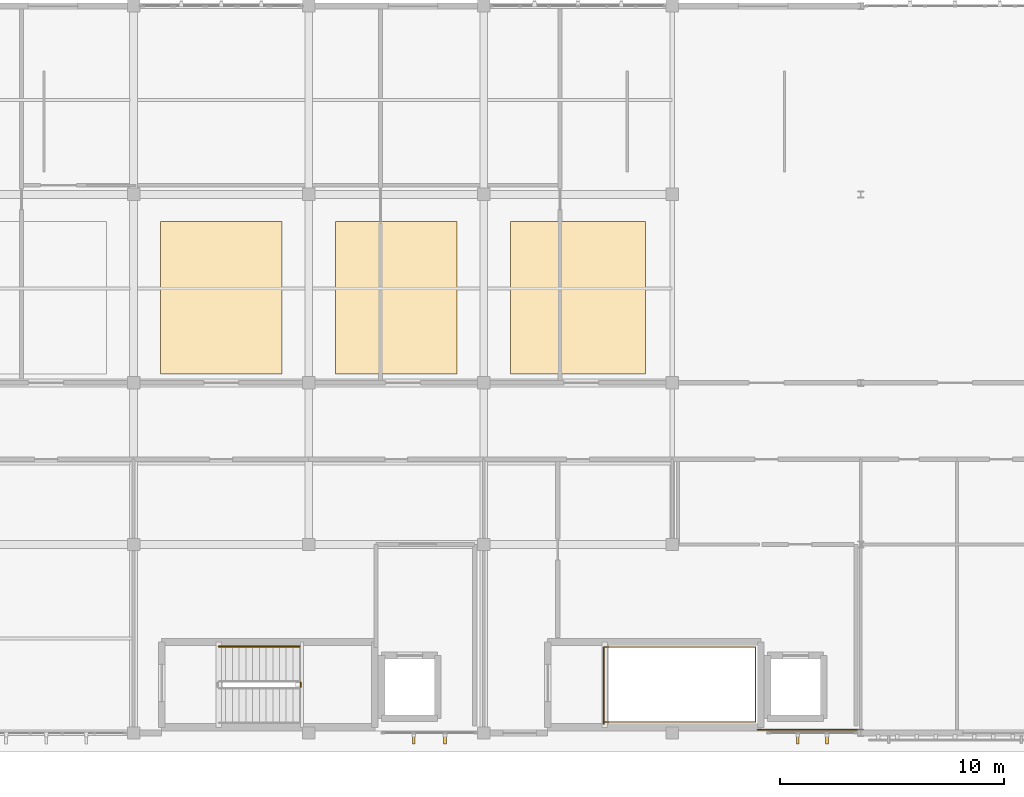
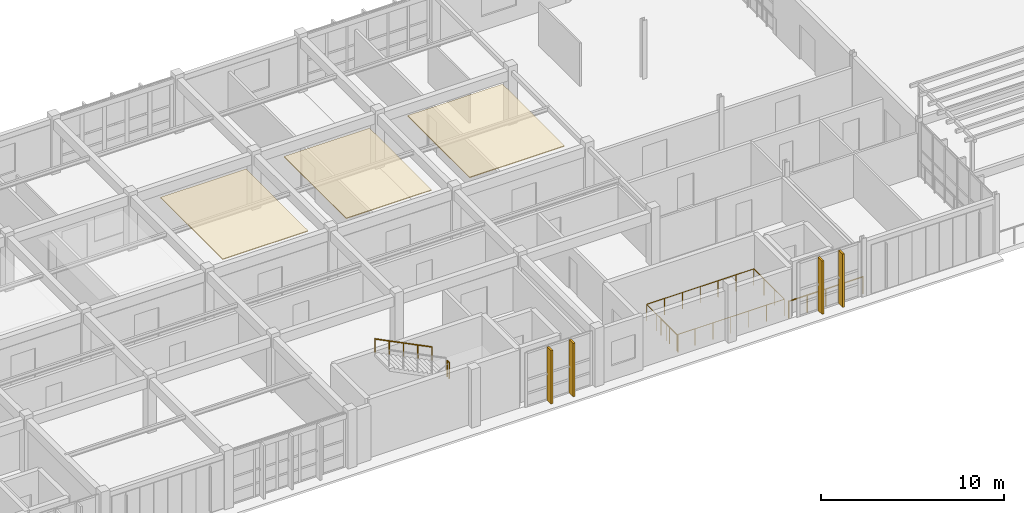
# One storey, part 33 of 35: 7 coverings, 5 railings.
"""IFC4 building model written with IfcOpenShell, lengths in metres."""

from ifc_helpers import new_model, si_unit, direction, frame, origin, origin_2d, place, context, subcontext, project, spatial, polyline, rectangle, circle, outline, extrude, material, layer, layer_set, type_object, element, save


model = new_model("IFC4")

# Units and contexts
model_context = context("Model", 3, precision=1e-05, world=origin(), true_north=direction((0.0, 1.0)))
body_context = subcontext(model_context, "Body", "Model", "MODEL_VIEW")
ifc_project = project(units=[si_unit("LENGTHUNIT", "METRE"), si_unit("AREAUNIT", "SQUARE_METRE"), si_unit("VOLUMEUNIT", "CUBIC_METRE"), si_unit("PLANEANGLEUNIT", "RADIAN"), si_unit("MASSUNIT", "GRAM", prefix="KILO")], contexts=[model_context])

# Site, building, storey
site_placement = place(None, origin())
site = spatial("IfcSite", under=ifc_project, at=site_placement, CompositionType="ELEMENT")
building_placement = place(site_placement, origin())
building = spatial("IfcBuilding", under=site, at=building_placement, Name="Tizgana Railside Sports Hall", CompositionType="ELEMENT")
storey_placement = place(building_placement, frame((0.0, 0.0, 15.89990234375)))
storey = spatial("IfcBuildingStorey", under=building, at=storey_placement, Name="L03", CompositionType="ELEMENT", Elevation=15.89990234375)

# Coverings
ifc_material_1 = material(Name="Glulam GL28h", Category="wood")
ifc_layer_1 = layer(ifc_material_1, 0.139892578125, Name="Glulam GL28h")
ifc_layer_set_1 = layer_set([ifc_layer_1], Name="Glulam GL28h")
covering_type_1 = type_object("IfcCoveringType", Name="Mass-Timber Brise-Soleil & Pergola Fin", PredefinedType="CLADDING", material=ifc_layer_set_1)
for number, where, z_axis, x_axis, name in (
    (1, (52.873291015625, -0.280029296875, 0.0400390625), (0.0, 0.0, 1.0), (-1.0, 0.0, 0.0), "L03 Timber Brise-Soleil Fin"),
    (2, (51.476806640625, -0.280029296875, 0.0400390625), (0.0, 0.0, 1.0), (-1.0, 0.0, 0.0), "L03 Timber Brise-Soleil Fin"),
    (3, (69.896728515625, -0.280029296875, 0.0400390625), (0.0, 0.0, 1.0), (-1.0, 0.0, 0.0), "L03 Timber Brise-Soleil Fin"),
    (4, (68.58837890625, -0.280029296875, 0.0400390625), (0.0, 0.0, 1.0), (-1.0, 0.0, 0.0), "L03 Timber Brise-Soleil Fin"),
):
    element("IfcCovering", number, at=place(storey_placement, frame(where, z_axis=z_axis, x_axis=x_axis)), inside=storey, type_object=covering_type_1, Name=name, PredefinedType="CLADDING", context=body_context, shape_type="SweptSolid", body=[
        extrude(rectangle(XDim=0.1201171875, YDim=0.43994140625, at=origin_2d()), origin(), (0.0, 0.0, 1.0), 3.56005859375),
    ])

# Railings
ifc_material_2 = material(Name="Galvanised steel sheet", Category="steel")
railing_type_1 = type_object("IfcRailingType", Name="Safety Balustrade Guard 1100", PredefinedType="BALUSTRADE", material=ifc_material_2)
railing_1_placement = place(storey_placement, frame((46.449951171875, 2.050048828125, 1.9501953125)))
element("IfcRailing", 5, at=railing_1_placement, inside=storey, type_object=railing_type_1, Name="L03 ST-02 stair guard 2", PredefinedType="BALUSTRADE", context=body_context, shape_type="SweptSolid", body=[
    extrude(circle(Radius=0.02392578125, at=origin_2d()), frame((0.0, 0.0, 1.076171875), z_axis=(0.0, 1.0, 0.0), x_axis=(-1.0, 0.0, 0.0)), (0.0, 0.0, 1.0), 0.199951171875),
    extrude(circle(Radius=0.02099609375, at=origin_2d()), origin(), (0.0, 0.0, 1.0), 1.052001953125),
    extrude(circle(Radius=0.02099609375, at=origin_2d()), frame((0.0, 0.199951171875, 0.0)), (0.0, 0.0, 1.0), 1.052001953125),
])
railing_2_placement = place(storey_placement, frame((59.949951171875, 0.39990234375, 0.0)))
element("IfcRailing", 6, at=railing_2_placement, inside=storey, type_object=railing_type_1, Name="L03 ST-03 top well guard 1", PredefinedType="BALUSTRADE", context=body_context, shape_type="SweptSolid", body=[
    extrude(circle(Radius=0.02392578125, at=origin_2d()), frame((0.0, 0.0, 1.076171875), z_axis=(0.0, 1.0, 0.0), x_axis=(-1.0, 0.0, 0.0)), (0.0, 0.0, 1.0), 1.85009765625),
    extrude(circle(Radius=0.02099609375, at=origin_2d()), origin(), (0.0, 0.0, 1.0), 1.052001953125),
    extrude(circle(Radius=0.02099609375, at=origin_2d()), frame((0.0, 0.925048828125, 0.0)), (0.0, 0.0, 1.0), 1.052001953125),
    extrude(circle(Radius=0.02099609375, at=origin_2d()), frame((0.0, 1.85009765625, 0.0)), (0.0, 0.0, 1.0), 1.052001953125),
])
railing_3_placement = place(storey_placement, frame((59.949951171875, 0.47998046875, 0.0)))
element("IfcRailing", 7, at=railing_3_placement, inside=storey, type_object=railing_type_1, Name="L03 ST-03 Well Guard", PredefinedType="BALUSTRADE", context=body_context, shape_type="SweptSolid", body=[
    extrude(circle(Radius=0.02392578125, at=origin_2d()), frame((0.0, 0.0, 1.09619140625), z_axis=(1.0, 0.0, 0.0), x_axis=(0.0, 1.0, 0.0)), (0.0, 0.0, 1.0), 6.77001953125),
    extrude(circle(Radius=0.02392578125, at=origin_2d()), frame((6.77001953125, 0.0, 1.09619140625), z_axis=(0.0, 1.0, 0.0), x_axis=(-1.0, 0.0, 0.0)), (0.0, 0.0, 1.0), 3.340087890625),
    extrude(circle(Radius=0.02392578125, at=origin_2d()), frame((6.77001953125, 3.340087890625, 1.09619140625), z_axis=(-1.0, 0.0, 0.0), x_axis=(0.0, -1.0, 0.0)), (0.0, 0.0, 1.0), 6.77001953125),
    extrude(circle(Radius=0.02392578125, at=origin_2d()), frame((0.0, 3.340087890625, 1.09619140625), z_axis=(0.0, -1.0, 0.0), x_axis=(1.0, 0.0, 0.0)), (0.0, 0.0, 1.0), 3.280029296875),
    extrude(circle(Radius=0.02099609375, at=origin_2d()), origin(), (0.0, 0.0, 1.0), 1.072021484375),
    extrude(circle(Radius=0.02099609375, at=origin_2d()), frame((1.12841796875, 0.0, 0.0)), (0.0, 0.0, 1.0), 1.072021484375),
    extrude(circle(Radius=0.02099609375, at=origin_2d()), frame((2.256591796875, 0.0, 0.0)), (0.0, 0.0, 1.0), 1.072021484375),
    extrude(circle(Radius=0.02099609375, at=origin_2d()), frame((3.385009765625, 0.0, 0.0)), (0.0, 0.0, 1.0), 1.072021484375),
    extrude(circle(Radius=0.02099609375, at=origin_2d()), frame((4.513427734375, 0.0, 0.0)), (0.0, 0.0, 1.0), 1.072021484375),
    extrude(circle(Radius=0.02099609375, at=origin_2d()), frame((5.6416015625, 0.0, 0.0)), (0.0, 0.0, 1.0), 1.072021484375),
    extrude(circle(Radius=0.02099609375, at=origin_2d()), frame((6.77001953125, 0.0, 0.0)), (0.0, 0.0, 1.0), 1.072021484375),
    extrude(circle(Radius=0.02099609375, at=origin_2d()), frame((6.77001953125, 1.11328125, 0.0)), (0.0, 0.0, 1.0), 1.072021484375),
    extrude(circle(Radius=0.02099609375, at=origin_2d()), frame((6.77001953125, 2.226806640625, 0.0)), (0.0, 0.0, 1.0), 1.072021484375),
    extrude(circle(Radius=0.02099609375, at=origin_2d()), frame((6.77001953125, 3.340087890625, 0.0)), (0.0, 0.0, 1.0), 1.072021484375),
    extrude(circle(Radius=0.02099609375, at=origin_2d()), frame((5.6416015625, 3.340087890625, 0.0)), (0.0, 0.0, 1.0), 1.072021484375),
    extrude(circle(Radius=0.02099609375, at=origin_2d()), frame((4.513427734375, 3.340087890625, 0.0)), (0.0, 0.0, 1.0), 1.072021484375),
    extrude(circle(Radius=0.02099609375, at=origin_2d()), frame((3.385009765625, 3.340087890625, 0.0)), (0.0, 0.0, 1.0), 1.072021484375),
    extrude(circle(Radius=0.02099609375, at=origin_2d()), frame((2.256591796875, 3.340087890625, 0.0)), (0.0, 0.0, 1.0), 1.072021484375),
    extrude(circle(Radius=0.02099609375, at=origin_2d()), frame((1.12841796875, 3.340087890625, 0.0)), (0.0, 0.0, 1.0), 1.072021484375),
    extrude(circle(Radius=0.02099609375, at=origin_2d()), frame((0.0, 3.340087890625, 0.0)), (0.0, 0.0, 1.0), 1.072021484375),
    extrude(circle(Radius=0.02099609375, at=origin_2d()), frame((0.0, 2.246826171875, 0.0)), (0.0, 0.0, 1.0), 1.072021484375),
    extrude(circle(Radius=0.02099609375, at=origin_2d()), frame((0.0, 1.1533203125, 0.0)), (0.0, 0.0, 1.0), 1.072021484375),
    extrude(circle(Radius=0.02099609375, at=origin_2d()), frame((0.0, 0.06005859375, 0.0)), (0.0, 0.0, 1.0), 1.072021484375),
])

# Coverings
ifc_material_3 = material(Name="Acoustic perforated timber", Category="wood")
ifc_layer_2 = layer(ifc_material_3, 0.054931640625, Name="Acoustic perforated timber")
ifc_layer_set_2 = layer_set([ifc_layer_2], Name="Acoustic perforated timber")
covering_type_2 = type_object("IfcCoveringType", Name="Slatted Timber Acoustic Hall Ceiling", PredefinedType="CEILING", material=ifc_layer_set_2)
covering_1_placement = place(storey_placement, frame((0.0, 0.0, 3.60009765625)))
element("IfcCovering", 8, at=covering_1_placement, inside=storey, type_object=covering_type_2, Name="L03 Acoustic Ceiling CLG-0025", PredefinedType="CEILING", context=body_context, shape_type="SweptSolid", body=[
    extrude(outline(polyline([(40.199951171875, 16.0), (45.60009765625, 16.0), (45.60009765625, 22.800048828125), (40.199951171875, 22.800048828125), (40.199951171875, 16.0)])), origin(), (0.0, 0.0, 1.0), 0.054931640625),
])
covering_2_placement = place(storey_placement, frame((0.0, 0.0, 3.60009765625)))
element("IfcCovering", 9, at=covering_2_placement, inside=storey, type_object=covering_type_2, Name="L03 Acoustic Ceiling CLG-0026", PredefinedType="CEILING", context=body_context, shape_type="SweptSolid", body=[
    extrude(outline(polyline([(48.0, 16.0), (53.39990234375, 16.0), (53.39990234375, 22.800048828125), (48.0, 22.800048828125), (48.0, 16.0)])), origin(), (0.0, 0.0, 1.0), 0.054931640625),
])
covering_3_placement = place(storey_placement, frame((0.0, 0.0, 3.60009765625)))
element("IfcCovering", 10, at=covering_3_placement, inside=storey, type_object=covering_type_2, Name="L03 Acoustic Ceiling CLG-0027", PredefinedType="CEILING", context=body_context, shape_type="SweptSolid", body=[
    extrude(outline(polyline([(55.800048828125, 16.0), (61.800048828125, 16.0), (61.800048828125, 22.800048828125), (55.800048828125, 22.800048828125), (55.800048828125, 16.0)])), origin(), (0.0, 0.0, 1.0), 0.054931640625),
])

# Railings
ifc_material_4 = material(Name="Brushed stainless steel", Category="steel")
railing_type_2 = type_object("IfcRailingType", Name="Stair & Ramp Wall Handrail 900", PredefinedType="HANDRAIL", material=ifc_material_4)
railing_4_placement = place(storey_placement, frame((46.39990234375, 3.85009765625, 2.10009765625)))
element("IfcRailing", 11, at=railing_4_placement, inside=storey, type_object=railing_type_2, Name="L03 ST-02 stair handrail 2", PredefinedType="HANDRAIL", context=body_context, shape_type="SweptSolid", body=[
    extrude(circle(Radius=0.02392578125, at=origin_2d()), frame((0.0, 0.0, 0.8759765625), z_axis=(-0.894415058897, 0.0, 0.447237858884), x_axis=(0.0, -1.0, 0.0)), (0.0, 0.0, 1.0), 4.02490234375),
    extrude(circle(Radius=0.02099609375, at=origin_2d()), origin(), (0.0, 0.0, 1.0), 0.851806640625),
    extrude(circle(Radius=0.02099609375, at=origin_2d()), frame((-0.89990234375, 0.0, 0.449951171875)), (0.0, 0.0, 1.0), 0.851806640625),
    extrude(circle(Radius=0.02099609375, at=origin_2d()), frame((-1.7998046875, 0.0, 0.89990234375)), (0.0, 0.0, 1.0), 0.851806640625),
    extrude(circle(Radius=0.02099609375, at=origin_2d()), frame((-2.699951171875, 0.0, 1.35009765625)), (0.0, 0.0, 1.0), 0.851806640625),
    extrude(circle(Radius=0.02099609375, at=origin_2d()), frame((-3.599853515625, 0.0, 1.800048828125)), (0.0, 0.0, 1.0), 0.851806640625),
])
ifc_material_5 = material(Name="Anodised aluminium", Category="aluminium")
railing_type_3 = type_object("IfcRailingType", Name="Terrace & Track Guard 1150", PredefinedType="BALUSTRADE", material=ifc_material_5)
railing_5_placement = place(storey_placement, frame((66.800048828125, 0.14990234375, 0.0)))
element("IfcRailing", 12, at=railing_5_placement, inside=storey, type_object=railing_type_3, Name="L03 Safety Guard GRD-0031", PredefinedType="BALUSTRADE", context=body_context, shape_type="SweptSolid", body=[
    extrude(circle(Radius=0.02392578125, at=origin_2d()), frame((0.0, 0.0, 1.1259765625), z_axis=(1.0, 0.0, 0.0), x_axis=(0.0, 1.0, 0.0)), (0.0, 0.0, 1.0), 4.699951171875),
    extrude(circle(Radius=0.02099609375, at=origin_2d()), origin(), (0.0, 0.0, 1.0), 1.101806640625),
    extrude(circle(Radius=0.02099609375, at=origin_2d()), frame((1.175048828125, 0.0, 0.0)), (0.0, 0.0, 1.0), 1.101806640625),
    extrude(circle(Radius=0.02099609375, at=origin_2d()), frame((2.35009765625, 0.0, 0.0)), (0.0, 0.0, 1.0), 1.101806640625),
    extrude(circle(Radius=0.02099609375, at=origin_2d()), frame((3.52490234375, 0.0, 0.0)), (0.0, 0.0, 1.0), 1.101806640625),
    extrude(circle(Radius=0.02099609375, at=origin_2d()), frame((4.699951171875, 0.0, 0.0)), (0.0, 0.0, 1.0), 1.101806640625),
])

save(model, "model.ifc")
